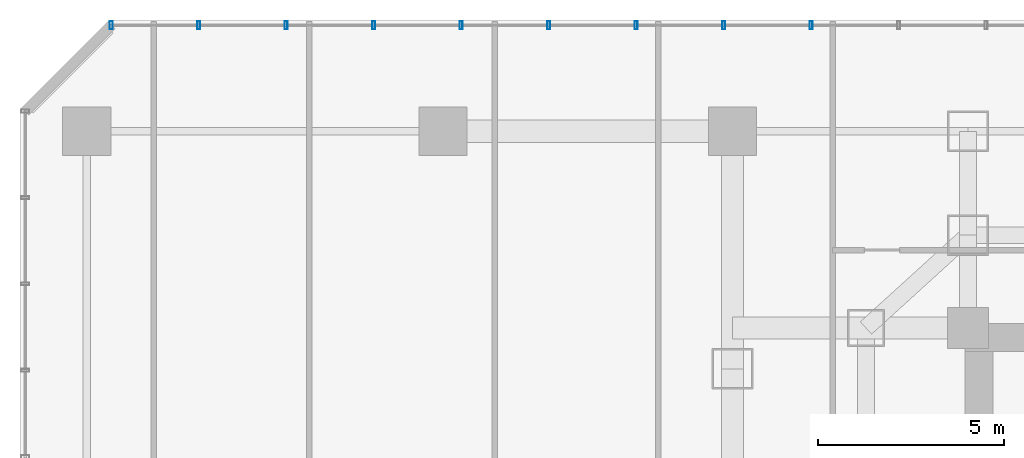
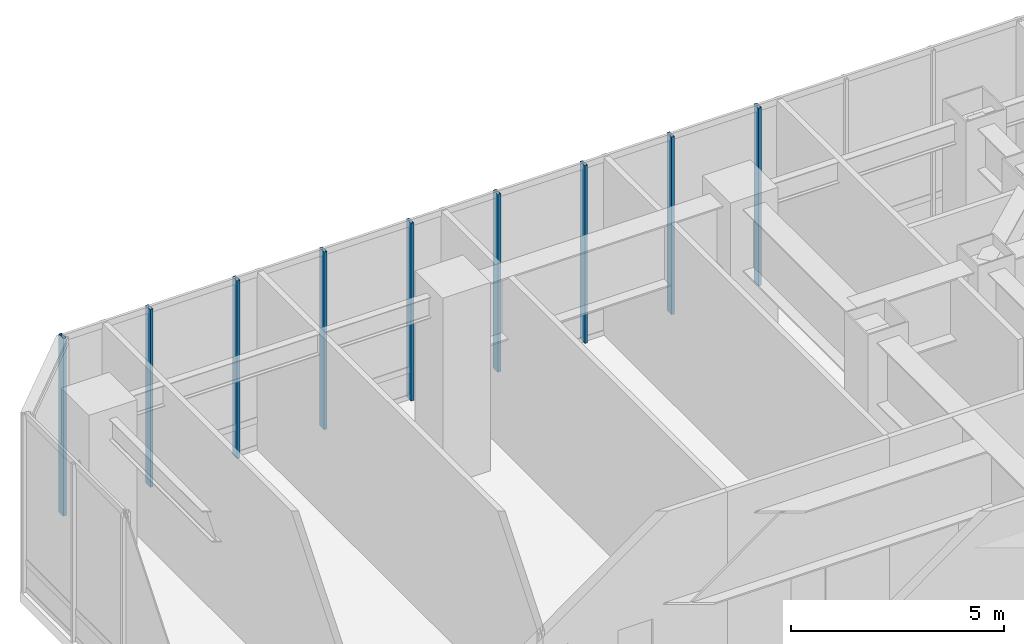
# One storey, part 22 of 38: 9 members, 1 element without a shape of its own.
"""IFC4 building model written with IfcOpenShell, lengths in metres."""

from ifc_helpers import new_model, si_unit, direction, frame, origin, origin_2d, place, context, subcontext, project, spatial, hollow_rectangle, extrude, material, layer, layer_set, material_profile, profile_set, type_object, element, aggregate, save


model = new_model("IFC4")

# Units and contexts
model_context = context("Model", 3, precision=1e-05, world=origin(), true_north=direction((0.0, 1.0)))
body_context = subcontext(model_context, "Body", "Model", "MODEL_VIEW")
ifc_project = project(units=[si_unit("LENGTHUNIT", "METRE"), si_unit("AREAUNIT", "SQUARE_METRE"), si_unit("VOLUMEUNIT", "CUBIC_METRE"), si_unit("PLANEANGLEUNIT", "RADIAN"), si_unit("MASSUNIT", "GRAM", prefix="KILO")], contexts=[model_context])

# Site, building, storey
site_placement = place(None, origin())
site = spatial("IfcSite", under=ifc_project, at=site_placement, CompositionType="ELEMENT")
building_placement = place(site_placement, origin())
building = spatial("IfcBuilding", under=site, at=building_placement, Name="Hatsunagi Terrace Concourse", CompositionType="ELEMENT")
storey_placement = place(building_placement, frame((0.0, 0.0, 21.60009765625)))
storey = spatial("IfcBuildingStorey", under=building, at=storey_placement, Name="L05", CompositionType="ELEMENT", Elevation=21.60009765625)

# Curtain wall, members
ifc_material_1 = material(Name="Anodised Aluminium Alloy 6063-T5", Category="aluminium")
ifc_layer = layer(ifc_material_1, 0.199951171875)
ifc_layer_set = layer_set([ifc_layer], Name="PodiumStorefront_CW01")
curtain_wall_type = type_object("IfcCurtainWallType", Name="PodiumStorefront_CW01", PredefinedType="NOTDEFINED", material=ifc_layer_set)
curtain_wall_placement = place(storey_placement, origin())
curtain_wall = element("IfcCurtainWall", 1, at=curtain_wall_placement, inside=storey, type_object=curtain_wall_type, Name="Unitised Curtain Wall CW-01 CW-L05-11", PredefinedType="NOTDEFINED")
ifc_material_2 = material(Name="Anodised Aluminium Alloy 6063-T5", Category="aluminium")
ifc_material_profile = material_profile(ifc_material_2, hollow_rectangle(XDim=0.080078125, YDim=0.219970703125, WallThickness=0.0048828125, at=origin_2d()), Name="ALU-MUL-220x80x5")
ifc_profile_set = profile_set([ifc_material_profile], Name="Anodised Aluminium Alloy 6063-T5")
member_type = type_object("IfcMemberType", Name="CurtainWallMullion_Heavy_220x80", PredefinedType="MULLION", material=ifc_profile_set)
member_1_placement = place(storey_placement, frame((2.4580078125, 51.4599609375, 0.0), z_axis=(0.0, 0.0, 1.0), x_axis=(1.0, 0.0, 0.0)))
member_1 = element("IfcMember", 2, at=member_1_placement, type_object=member_type, Name="Curtain Wall Mullion MUL-01", PredefinedType="MULLION", context=body_context, shape_type="SweptSolid", body=[
    extrude(hollow_rectangle(XDim=0.080078125, YDim=0.219970703125, WallThickness=0.0048828125, at=origin_2d()), origin(), (0.0, 0.0, 1.0), 5.099853515625),
])
member_2_placement = place(storey_placement, frame((4.81591796875, 51.4599609375, 0.0), z_axis=(0.0, 0.0, 1.0), x_axis=(1.0, 0.0, 0.0)))
member_2 = element("IfcMember", 3, at=member_2_placement, type_object=member_type, Name="Curtain Wall Mullion MUL-01", PredefinedType="MULLION", context=body_context, shape_type="SweptSolid", body=[
    extrude(hollow_rectangle(XDim=0.080078125, YDim=0.219970703125, WallThickness=0.0048828125, at=origin_2d()), origin(), (0.0, 0.0, 1.0), 5.099853515625),
])
member_3_placement = place(storey_placement, frame((7.174072265625, 51.4599609375, 0.0), z_axis=(0.0, 0.0, 1.0), x_axis=(1.0, 0.0, 0.0)))
member_3 = element("IfcMember", 4, at=member_3_placement, type_object=member_type, Name="Curtain Wall Mullion MUL-01", PredefinedType="MULLION", context=body_context, shape_type="SweptSolid", body=[
    extrude(hollow_rectangle(XDim=0.080078125, YDim=0.219970703125, WallThickness=0.0048828125, at=origin_2d()), origin(), (0.0, 0.0, 1.0), 5.099853515625),
])
member_4_placement = place(storey_placement, frame((9.531982421875, 51.4599609375, 0.0), z_axis=(0.0, 0.0, 1.0), x_axis=(1.0, 0.0, 0.0)))
member_4 = element("IfcMember", 5, at=member_4_placement, type_object=member_type, Name="Curtain Wall Mullion MUL-01", PredefinedType="MULLION", context=body_context, shape_type="SweptSolid", body=[
    extrude(hollow_rectangle(XDim=0.080078125, YDim=0.219970703125, WallThickness=0.0048828125, at=origin_2d()), origin(), (0.0, 0.0, 1.0), 5.099853515625),
])
member_5_placement = place(storey_placement, frame((11.889892578125, 51.4599609375, 0.0), z_axis=(0.0, 0.0, 1.0), x_axis=(1.0, 0.0, 0.0)))
member_5 = element("IfcMember", 6, at=member_5_placement, type_object=member_type, Name="Curtain Wall Mullion MUL-01", PredefinedType="MULLION", context=body_context, shape_type="SweptSolid", body=[
    extrude(hollow_rectangle(XDim=0.080078125, YDim=0.219970703125, WallThickness=0.0048828125, at=origin_2d()), origin(), (0.0, 0.0, 1.0), 5.099853515625),
])
member_6_placement = place(storey_placement, frame((14.2470703125, 51.4599609375, 0.0), z_axis=(0.0, 0.0, 1.0), x_axis=(1.0, 0.0, 0.0)))
member_6 = element("IfcMember", 7, at=member_6_placement, type_object=member_type, Name="Curtain Wall Mullion MUL-01", PredefinedType="MULLION", context=body_context, shape_type="SweptSolid", body=[
    extrude(hollow_rectangle(XDim=0.080078125, YDim=0.219970703125, WallThickness=0.0048828125, at=origin_2d()), origin(), (0.0, 0.0, 1.0), 5.099853515625),
])
member_7_placement = place(storey_placement, frame((16.60498046875, 51.4599609375, 0.0), z_axis=(0.0, 0.0, 1.0), x_axis=(1.0, 0.0, 0.0)))
member_7 = element("IfcMember", 8, at=member_7_placement, type_object=member_type, Name="Curtain Wall Mullion MUL-01", PredefinedType="MULLION", context=body_context, shape_type="SweptSolid", body=[
    extrude(hollow_rectangle(XDim=0.080078125, YDim=0.219970703125, WallThickness=0.0048828125, at=origin_2d()), origin(), (0.0, 0.0, 1.0), 5.099853515625),
])
member_8_placement = place(storey_placement, frame((18.962890625, 51.4599609375, 0.0), z_axis=(0.0, 0.0, 1.0), x_axis=(1.0, 0.0, 0.0)))
member_8 = element("IfcMember", 9, at=member_8_placement, type_object=member_type, Name="Curtain Wall Mullion MUL-01", PredefinedType="MULLION", context=body_context, shape_type="SweptSolid", body=[
    extrude(hollow_rectangle(XDim=0.080078125, YDim=0.219970703125, WallThickness=0.0048828125, at=origin_2d()), origin(), (0.0, 0.0, 1.0), 5.099853515625),
])
member_9_placement = place(storey_placement, frame((21.321044921875, 51.4599609375, 0.0), z_axis=(0.0, 0.0, 1.0), x_axis=(1.0, 0.0, 0.0)))
member_9 = element("IfcMember", 10, at=member_9_placement, type_object=member_type, Name="Curtain Wall Mullion MUL-01", PredefinedType="MULLION", context=body_context, shape_type="SweptSolid", body=[
    extrude(hollow_rectangle(XDim=0.080078125, YDim=0.219970703125, WallThickness=0.0048828125, at=origin_2d()), origin(), (0.0, 0.0, 1.0), 5.099853515625),
])
aggregate(curtain_wall, [member_1, member_2, member_3, member_4, member_5, member_6, member_7, member_8, member_9])

save(model, "model.ifc")
